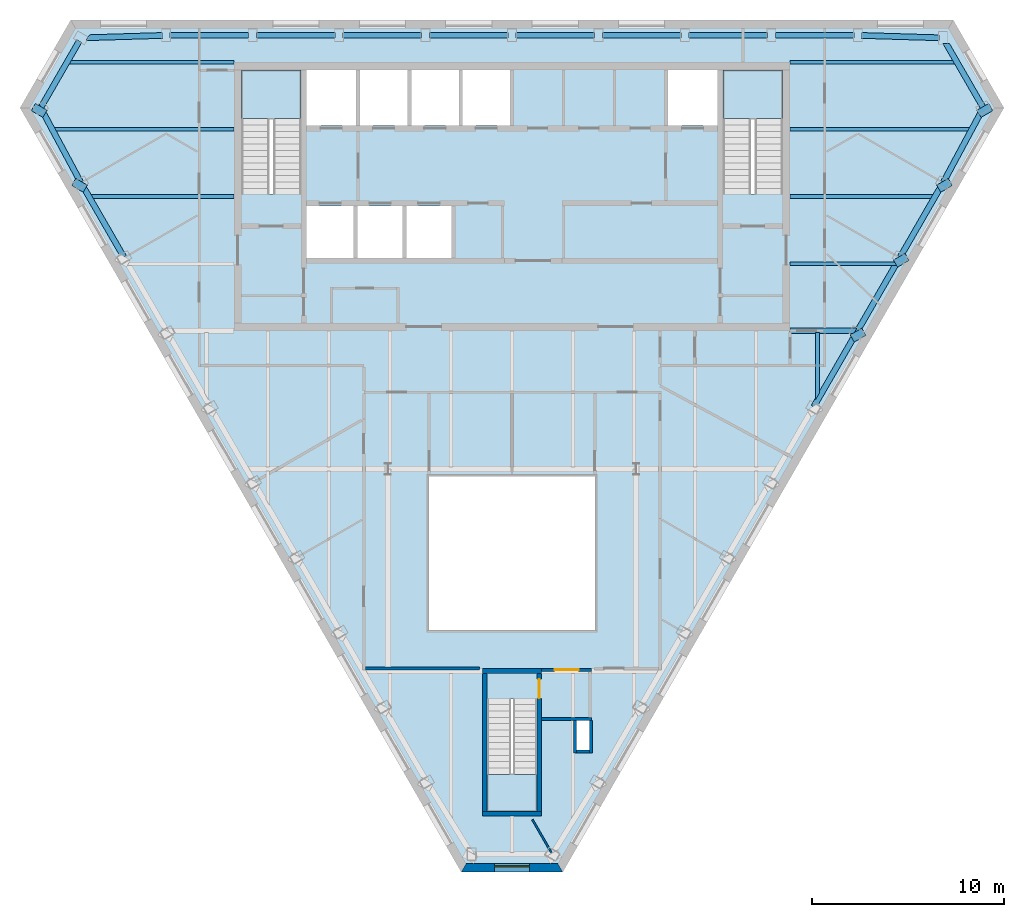
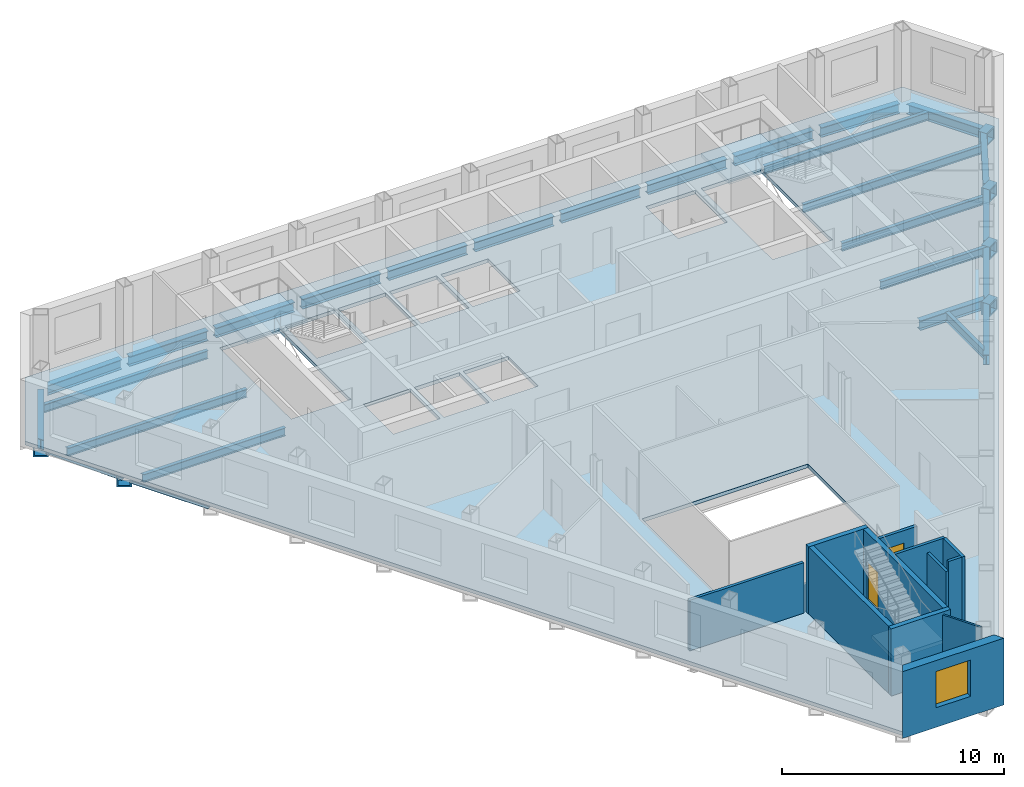
# One storey, part 3 of 10: 33 beams, 12 walls, 4 slabs, 2 doors, 1 window, 3 openings, 3 elements without a shape of their own.
"""IFC4 building model written with IfcOpenShell, lengths in metres."""

from ifc_helpers import new_model, si_unit, direction, frame, frame_2d, origin, origin_2d, place, context, subcontext, project, spatial, polyline, rectangle, hollow_rectangle, i_section, outline, extrude, clip, halfspace, material, layer, layer_set, material_profile, profile_set, type_object, element, fill, aggregate, save


model = new_model("IFC4")

# Units and contexts
model_context = context("Model", 3, precision=1e-05, world=origin(), true_north=direction((0.0, 1.0)))
body_context = subcontext(model_context, "Body", "Model", "MODEL_VIEW")
ifc_project = project(units=[si_unit("LENGTHUNIT", "METRE"), si_unit("AREAUNIT", "SQUARE_METRE"), si_unit("VOLUMEUNIT", "CUBIC_METRE"), si_unit("PLANEANGLEUNIT", "RADIAN"), si_unit("MASSUNIT", "GRAM", prefix="KILO")], contexts=[model_context])

# Site, building, storey
site_placement = place(None, origin())
site = spatial("IfcSite", under=ifc_project, at=site_placement, CompositionType="ELEMENT")
building_placement = place(site_placement, origin())
building = spatial("IfcBuilding", under=site, at=building_placement, Name="Njiva Tower", CompositionType="ELEMENT")
storey_placement = place(building_placement, frame((0.0, 0.0, 280.5)))
storey = spatial("IfcBuildingStorey", under=building, at=storey_placement, Name="L64", CompositionType="ELEMENT", Elevation=280.5)

# Beams
ifc_material_1 = material(Name="Steel S355 J2", Category="steel")
ifc_material_profile_1 = material_profile(ifc_material_1, hollow_rectangle(XDim=0.7, YDim=0.7, WallThickness=0.08, at=origin_2d()), Name="BOX 700x700x80")
ifc_profile_set_1 = profile_set([ifc_material_profile_1], Name="Steel S355 J2")
beam_type_1 = type_object("IfcBeamType", Name="B19 Column jog beam BOX 700x700x80", PredefinedType="BEAM", material=ifc_profile_set_1)
beam_1_placement = place(storey_placement, frame((-24.753, 15.298, -0.55), z_axis=(0.499387282788, 0.866378867349, 0.0), x_axis=(-0.866378867349, 0.499387282788, 0.0)))
element("IfcBeam", 1, at=beam_1_placement, inside=storey, type_object=beam_type_1, Name="Column jog beam S21-B017", PredefinedType="BEAM", context=body_context, shape_type="SweptSolid", body=[
    extrude(hollow_rectangle(XDim=0.7, YDim=0.7, WallThickness=0.08, at=origin_2d()), origin(), (0.0, 0.0, 1.0), 0.4305),
])
beam_2_placement = place(storey_placement, frame((-22.652, 11.395, -0.55), z_axis=(0.500393920955, 0.865797853931, 0.0), x_axis=(-0.865797853931, 0.500393920955, 0.0)))
element("IfcBeam", 2, at=beam_2_placement, inside=storey, type_object=beam_type_1, Name="Column jog beam S21-B018", PredefinedType="BEAM", context=body_context, shape_type="SweptSolid", body=[
    extrude(hollow_rectangle(XDim=0.7, YDim=0.7, WallThickness=0.08, at=origin_2d()), origin(), (0.0, 0.0, 1.0), 0.4297),
])
beam_3_placement = place(storey_placement, frame((18.145, 3.587, -0.55), z_axis=(-0.499387282788, 0.866378867349, 0.0), x_axis=(-0.866378867349, -0.499387282788, 0.0)))
element("IfcBeam", 3, at=beam_3_placement, inside=storey, type_object=beam_type_1, Name="Column jog beam S21-B037", PredefinedType="BEAM", context=body_context, shape_type="SweptSolid", body=[
    extrude(hollow_rectangle(XDim=0.7, YDim=0.7, WallThickness=0.08, at=origin_2d()), origin(), (0.0, 0.0, 1.0), 0.4305),
])
for number, where, z_axis, x_axis, name in (
    (4, (20.399, 7.491, -0.55), (-0.500393920955, 0.865797853931, 0.0), (-0.865797853931, -0.500393920955, 0.0), "Column jog beam S21-B038"),
    (5, (22.652, 11.395, -0.55), (-0.500393920955, 0.865797853931, 0.0), (-0.865797853931, -0.500393920955, 0.0), "Column jog beam S21-B039"),
):
    element("IfcBeam", number, at=place(storey_placement, frame(where, z_axis=z_axis, x_axis=x_axis)), inside=storey, type_object=beam_type_1, Name=name, PredefinedType="BEAM", context=body_context, shape_type="SweptSolid", body=[
        extrude(hollow_rectangle(XDim=0.7, YDim=0.7, WallThickness=0.08, at=origin_2d()), origin(), (0.0, 0.0, 1.0), 0.4297),
    ])
beam_4_placement = place(storey_placement, frame((24.753, 15.298, -0.55), z_axis=(-0.499387282788, 0.866378867349, 0.0), x_axis=(-0.866378867349, -0.499387282788, 0.0)))
element("IfcBeam", 6, at=beam_4_placement, inside=storey, type_object=beam_type_1, Name="Column jog beam S21-B040", PredefinedType="BEAM", context=body_context, shape_type="SweptSolid", body=[
    extrude(hollow_rectangle(XDim=0.7, YDim=0.7, WallThickness=0.08, at=origin_2d()), origin(), (0.0, 0.0, 1.0), 0.4305),
])
ifc_material_profile_2 = material_profile(ifc_material_1, i_section(OverallWidth=0.19, OverallDepth=0.45, WebThickness=0.0094, FlangeThickness=0.0146, at=origin_2d()), Name="IPE 450")
ifc_profile_set_2 = profile_set([ifc_material_profile_2], Name="Steel S355 J2")
beam_type_2 = type_object("IfcBeamType", Name="B37 Floor beam to the core IPE 450", PredefinedType="BEAM", material=ifc_profile_set_2)
beam_5_placement = place(storey_placement, frame((14.5, 7.5, -0.425), z_axis=(1.0, 0.0, 0.0), x_axis=(0.0, 1.0, 0.0)))
element("IfcBeam", 7, at=beam_5_placement, inside=storey, type_object=beam_type_2, Name="Floor beam to the core S21-B007", PredefinedType="BEAM", context=body_context, shape_type="Clipping", body=[
    clip(extrude(i_section(OverallWidth=0.19, OverallDepth=0.45, WebThickness=0.0094, FlangeThickness=0.0146, at=origin_2d()), origin(), (0.0, 0.0, 1.0), 5.728), halfspace(frame((0.0433, 0.0, 5.4685), z_axis=(0.866026552831, 0.0, 0.499998009787), x_axis=(0.0, 1.0, 0.0)), False)),
])
beam_6_placement = place(storey_placement, frame((-22.014, 11.0, -0.425), z_axis=(1.0, 0.0, 0.0), x_axis=(0.0, 1.0, 0.0)))
element("IfcBeam", 8, at=beam_6_placement, inside=storey, type_object=beam_type_2, Name="Floor beam to the core S21-B003", PredefinedType="BEAM", context=body_context, shape_type="Clipping", body=[
    clip(extrude(i_section(OverallWidth=0.19, OverallDepth=0.45, WebThickness=0.0094, FlangeThickness=0.0146, at=origin_2d()), origin(), (0.0, 0.0, 1.0), 7.514), halfspace(frame((-0.025, 0.0, 0.0893), z_axis=(-0.499998009787, 0.0, -0.866026552831), x_axis=(0.0, -1.0, 0.0)), False)),
])
beam_7_placement = place(storey_placement, frame((14.5, 11.0, -0.425), z_axis=(1.0, 0.0, 0.0), x_axis=(0.0, 1.0, 0.0)))
element("IfcBeam", 9, at=beam_7_placement, inside=storey, type_object=beam_type_2, Name="Floor beam to the core S21-B008", PredefinedType="BEAM", context=body_context, shape_type="Clipping", body=[
    clip(extrude(i_section(OverallWidth=0.19, OverallDepth=0.45, WebThickness=0.0094, FlangeThickness=0.0146, at=origin_2d()), origin(), (0.0, 0.0, 1.0), 7.514), halfspace(frame((-0.025, 0.0, 7.4247), z_axis=(-0.499998009787, 0.0, 0.866026552831), x_axis=(0.0, 1.0, 0.0)), False)),
])
beam_8_placement = place(storey_placement, frame((-23.923, 14.5, -0.425), z_axis=(1.0, 0.0, 0.0), x_axis=(0.0, 1.0, 0.0)))
element("IfcBeam", 10, at=beam_8_placement, inside=storey, type_object=beam_type_2, Name="Floor beam to the core S21-B001", PredefinedType="BEAM", context=body_context, shape_type="Clipping", body=[
    clip(extrude(i_section(OverallWidth=0.19, OverallDepth=0.45, WebThickness=0.0094, FlangeThickness=0.0146, at=origin_2d()), origin(), (0.0, 0.0, 1.0), 9.423), halfspace(frame((-0.0237, 0.0, 0.0836), z_axis=(-0.473769423091, 0.0, -0.880648927634), x_axis=(0.0, -1.0, 0.0)), False)),
])
beam_9_placement = place(storey_placement, frame((14.5, 14.5, -0.425), z_axis=(1.0, 0.0, 0.0), x_axis=(0.0, 1.0, 0.0)))
element("IfcBeam", 11, at=beam_9_placement, inside=storey, type_object=beam_type_2, Name="Floor beam to the core S21-B009", PredefinedType="BEAM", context=body_context, shape_type="Clipping", body=[
    clip(extrude(i_section(OverallWidth=0.19, OverallDepth=0.45, WebThickness=0.0094, FlangeThickness=0.0146, at=origin_2d()), origin(), (0.0, 0.0, 1.0), 9.423), halfspace(frame((-0.0237, 0.0, 9.3394), z_axis=(-0.473769423091, 0.0, 0.880648927634), x_axis=(0.0, 1.0, 0.0)), False)),
])
beam_10_placement = place(storey_placement, frame((-23.152, 18.0, -0.425), z_axis=(1.0, 0.0, 0.0), x_axis=(0.0, 1.0, 0.0)))
element("IfcBeam", 12, at=beam_10_placement, inside=storey, type_object=beam_type_2, Name="Floor beam to the core S21-B002", PredefinedType="BEAM", context=body_context, shape_type="Clipping", body=[
    clip(extrude(i_section(OverallWidth=0.19, OverallDepth=0.45, WebThickness=0.0094, FlangeThickness=0.0146, at=origin_2d()), origin(), (0.0, 0.0, 1.0), 8.652), halfspace(frame((0.025, 0.0, 0.0892), z_axis=(0.499998009787, 0.0, -0.866026552831), x_axis=(0.0, -1.0, 0.0)), False)),
])
beam_11_placement = place(storey_placement, frame((14.5, 18.0, -0.425), z_axis=(1.0, 0.0, 0.0), x_axis=(0.0, 1.0, 0.0)))
element("IfcBeam", 13, at=beam_11_placement, inside=storey, type_object=beam_type_2, Name="Floor beam to the core S21-B010", PredefinedType="BEAM", context=body_context, shape_type="Clipping", body=[
    clip(extrude(i_section(OverallWidth=0.19, OverallDepth=0.45, WebThickness=0.0094, FlangeThickness=0.0146, at=origin_2d()), origin(), (0.0, 0.0, 1.0), 8.652), halfspace(frame((0.025, 0.0, 8.5628), z_axis=(0.499998009787, 0.0, 0.866026552831), x_axis=(0.0, 1.0, 0.0)), False)),
])
ifc_material_profile_3 = material_profile(ifc_material_1, i_section(OverallWidth=0.3, OverallDepth=0.54, WebThickness=0.0125, FlangeThickness=0.024, at=origin_2d()), Name="HEA 550")
ifc_profile_set_3 = profile_set([ifc_material_profile_3], Name="Steel S355 J2")
beam_type_3 = type_object("IfcBeamType", Name="B39 Short-span spandrel beam HEA 550", PredefinedType="SPANDREL", material=ifc_profile_set_3)
beam_12_placement = place(storey_placement, frame((22.257, 19.273, -0.47), z_axis=(-0.999547991975, 0.030063461852, 0.0), x_axis=(-0.030063461852, -0.999547991975, 0.0)))
element("IfcBeam", 14, at=beam_12_placement, inside=storey, type_object=beam_type_3, Name="Short-span spandrel beam S21-B116", PredefinedType="SPANDREL", context=body_context, shape_type="SweptSolid", body=[
    extrude(i_section(OverallWidth=0.3, OverallDepth=0.54, WebThickness=0.0125, FlangeThickness=0.024, at=origin_2d()), origin(), (0.0, 0.0, 1.0), 4.0248),
])
beam_13_placement = place(storey_placement, frame((17.83, 19.4, -0.47), z_axis=(-1.0, 0.0, 0.0), x_axis=(0.0, -1.0, 0.0)))
element("IfcBeam", 15, at=beam_13_placement, inside=storey, type_object=beam_type_3, Name="Short-span spandrel beam S21-B111", PredefinedType="SPANDREL", context=body_context, shape_type="SweptSolid", body=[
    extrude(i_section(OverallWidth=0.3, OverallDepth=0.54, WebThickness=0.0125, FlangeThickness=0.024, at=origin_2d()), origin(), (0.0, 0.0, 1.0), 4.107),
])
beam_14_placement = place(storey_placement, frame((13.323, 19.4, -0.47), z_axis=(-1.0, 0.0, 0.0), x_axis=(0.0, -1.0, 0.0)))
element("IfcBeam", 16, at=beam_14_placement, inside=storey, type_object=beam_type_3, Name="Short-span spandrel beam S21-B106", PredefinedType="SPANDREL", context=body_context, shape_type="SweptSolid", body=[
    extrude(i_section(OverallWidth=0.3, OverallDepth=0.54, WebThickness=0.0125, FlangeThickness=0.024, at=origin_2d()), origin(), (0.0, 0.0, 1.0), 4.108),
])
beam_15_placement = place(storey_placement, frame((8.815, 19.4, -0.47), z_axis=(-1.0, 0.0, 0.0), x_axis=(0.0, -1.0, 0.0)))
element("IfcBeam", 17, at=beam_15_placement, inside=storey, type_object=beam_type_3, Name="Short-span spandrel beam S21-B101", PredefinedType="SPANDREL", context=body_context, shape_type="SweptSolid", body=[
    extrude(i_section(OverallWidth=0.3, OverallDepth=0.54, WebThickness=0.0125, FlangeThickness=0.024, at=origin_2d()), origin(), (0.0, 0.0, 1.0), 4.107),
])
for number, where, z_axis, x_axis, name in (
    (18, (4.308, 19.4, -0.47), (-1.0, 0.0, 0.0), (0.0, -1.0, 0.0), "Short-span spandrel beam S21-B096"),
    (19, (-0.2, 19.4, -0.47), (-1.0, 0.0, 0.0), (0.0, -1.0, 0.0), "Short-span spandrel beam S21-B092"),
):
    element("IfcBeam", number, at=place(storey_placement, frame(where, z_axis=z_axis, x_axis=x_axis)), inside=storey, type_object=beam_type_3, Name=name, PredefinedType="SPANDREL", context=body_context, shape_type="SweptSolid", body=[
        extrude(i_section(OverallWidth=0.3, OverallDepth=0.54, WebThickness=0.0125, FlangeThickness=0.024, at=origin_2d()), origin(), (0.0, 0.0, 1.0), 4.108),
    ])
beam_16_placement = place(storey_placement, frame((-4.708, 19.4, -0.47), z_axis=(-1.0, 0.0, 0.0), x_axis=(0.0, -1.0, 0.0)))
element("IfcBeam", 20, at=beam_16_placement, inside=storey, type_object=beam_type_3, Name="Short-span spandrel beam S21-B087", PredefinedType="SPANDREL", context=body_context, shape_type="SweptSolid", body=[
    extrude(i_section(OverallWidth=0.3, OverallDepth=0.54, WebThickness=0.0125, FlangeThickness=0.024, at=origin_2d()), origin(), (0.0, 0.0, 1.0), 4.107),
])
beam_17_placement = place(storey_placement, frame((-9.215, 19.4, -0.47), z_axis=(-1.0, 0.0, 0.0), x_axis=(0.0, -1.0, 0.0)))
element("IfcBeam", 21, at=beam_17_placement, inside=storey, type_object=beam_type_3, Name="Short-span spandrel beam S21-B082", PredefinedType="SPANDREL", context=body_context, shape_type="SweptSolid", body=[
    extrude(i_section(OverallWidth=0.3, OverallDepth=0.54, WebThickness=0.0125, FlangeThickness=0.024, at=origin_2d()), origin(), (0.0, 0.0, 1.0), 4.108),
])
beam_18_placement = place(storey_placement, frame((-13.723, 19.4, -0.47), z_axis=(-1.0, 0.0, 0.0), x_axis=(0.0, -1.0, 0.0)))
element("IfcBeam", 22, at=beam_18_placement, inside=storey, type_object=beam_type_3, Name="Short-span spandrel beam S21-B077", PredefinedType="SPANDREL", context=body_context, shape_type="SweptSolid", body=[
    extrude(i_section(OverallWidth=0.3, OverallDepth=0.54, WebThickness=0.0125, FlangeThickness=0.024, at=origin_2d()), origin(), (0.0, 0.0, 1.0), 4.107),
])
beam_19_placement = place(storey_placement, frame((-18.234, 19.394, -0.47), z_axis=(-0.999544486246, -0.030179794811, 0.0), x_axis=(0.030179794811, -0.999544486246, 0.0)))
element("IfcBeam", 23, at=beam_19_placement, inside=storey, type_object=beam_type_3, Name="Short-span spandrel beam S21-B073", PredefinedType="SPANDREL", context=body_context, shape_type="Clipping", body=[
    clip(extrude(i_section(OverallWidth=0.3, OverallDepth=0.54, WebThickness=0.0125, FlangeThickness=0.024, at=origin_2d()), origin(), (0.0, 0.0, 1.0), 3.9898), halfspace(frame((-0.0268, 0.0, 3.86), z_axis=(-0.525906757481, 0.0, 0.850542228484), x_axis=(0.0, 1.0, 0.0)), False)),
])
beam_20_placement = place(storey_placement, frame((-22.561, 19.094, -0.47), z_axis=(-0.500114213461, -0.865959452569, 0.0), x_axis=(0.865959452569, -0.500114213461, 0.0)))
element("IfcBeam", 24, at=beam_20_placement, inside=storey, type_object=beam_type_3, Name="Short-span spandrel beam S21-B067", PredefinedType="SPANDREL", context=body_context, shape_type="Clipping", body=[
    clip(extrude(i_section(OverallWidth=0.3, OverallDepth=0.54, WebThickness=0.0125, FlangeThickness=0.024, at=origin_2d()), origin(), (0.0, 0.0, 1.0), 4.0841), halfspace(frame((-0.0246, 0.0, 3.9628), z_axis=(-0.499887768204, 0.0, 0.866090191147), x_axis=(0.0, 1.0, 0.0)), False)),
])
beam_21_placement = place(storey_placement, frame((-24.397, 15.303, -0.47), z_axis=(0.473537030371, -0.880773910188, 0.0), x_axis=(0.880773910188, 0.473537030371, 0.0)))
element("IfcBeam", 25, at=beam_21_placement, inside=storey, type_object=beam_type_3, Name="Short-span spandrel beam S21-B069", PredefinedType="SPANDREL", context=body_context, shape_type="SweptSolid", body=[
    extrude(i_section(OverallWidth=0.3, OverallDepth=0.54, WebThickness=0.0125, FlangeThickness=0.024, at=origin_2d()), origin(), (0.0, 0.0, 1.0), 4.0271),
])
for number, where, z_axis, x_axis, name in (
    (26, (-22.29, 11.408, -0.47), (0.500066662559, -0.865986912717, 0.0), (0.865986912717, 0.500066662559, 0.0), "Short-span spandrel beam S21-B072"),
    (27, (15.728, 0.043, -0.47), (0.500066662559, 0.865986912717, 0.0), (-0.865986912717, 0.500066662559, 0.0), "Short-span spandrel beam S21-B112"),
    (28, (17.982, 3.947, -0.47), (0.500066662559, 0.865986912717, 0.0), (-0.865986912717, 0.500066662559, 0.0), "Short-span spandrel beam S21-B114"),
    (29, (20.236, 7.851, -0.47), (0.500066662559, 0.865986912717, 0.0), (-0.865986912717, 0.500066662559, 0.0), "Short-span spandrel beam S21-B117"),
):
    element("IfcBeam", number, at=place(storey_placement, frame(where, z_axis=z_axis, x_axis=x_axis)), inside=storey, type_object=beam_type_3, Name=name, PredefinedType="SPANDREL", context=body_context, shape_type="SweptSolid", body=[
        extrude(i_section(OverallWidth=0.3, OverallDepth=0.54, WebThickness=0.0125, FlangeThickness=0.024, at=origin_2d()), origin(), (0.0, 0.0, 1.0), 4.1075),
    ])
beam_22_placement = place(storey_placement, frame((22.49, 11.756, -0.47), z_axis=(0.473732720651, 0.88066867174, 0.0), x_axis=(-0.88066867174, 0.473732720651, 0.0)))
element("IfcBeam", 30, at=beam_22_placement, inside=storey, type_object=beam_type_3, Name="Short-span spandrel beam S21-B119", PredefinedType="SPANDREL", context=body_context, shape_type="SweptSolid", body=[
    extrude(i_section(OverallWidth=0.3, OverallDepth=0.54, WebThickness=0.0125, FlangeThickness=0.024, at=origin_2d()), origin(), (0.0, 0.0, 1.0), 4.3864),
])
beam_23_placement = place(storey_placement, frame((24.568, 15.619, -0.47), z_axis=(-0.500200034103, 0.865909883235, 0.0), x_axis=(-0.865909883235, -0.500200034103, 0.0)))
element("IfcBeam", 31, at=beam_23_placement, inside=storey, type_object=beam_type_3, Name="Short-span spandrel beam S21-B122", PredefinedType="SPANDREL", context=body_context, shape_type="Clipping", body=[
    clip(extrude(i_section(OverallWidth=0.3, OverallDepth=0.54, WebThickness=0.0125, FlangeThickness=0.024, at=origin_2d()), origin(), (0.0, 0.0, 1.0), 3.9735), halfspace(frame((-0.0254, 0.0, 3.8518), z_axis=(-0.500200034103, 0.0, 0.865909883235), x_axis=(0.0, 1.0, 0.0)), False)),
])
ifc_material_profile_4 = material_profile(ifc_material_1, i_section(OverallWidth=0.3, OverallDepth=0.54, WebThickness=0.0125, FlangeThickness=0.024, at=origin_2d()), Name="HEA 550")
ifc_profile_set_4 = profile_set([ifc_material_profile_4], Name="Steel S355 J2")
beam_type_4 = type_object("IfcBeamType", Name="B41 Short-span floor girder HEA 550", PredefinedType="BEAM", material=ifc_profile_set_4)
beam_24_placement = place(storey_placement, frame((14.5, 4.0, -0.47), z_axis=(1.0, 0.0, 0.0), x_axis=(0.0, 1.0, 0.0)))
element("IfcBeam", 32, at=beam_24_placement, inside=storey, type_object=beam_type_4, Name="Short-span floor girder S21-B016", PredefinedType="BEAM", context=body_context, shape_type="Clipping", body=[
    clip(extrude(i_section(OverallWidth=0.3, OverallDepth=0.54, WebThickness=0.0125, FlangeThickness=0.024, at=origin_2d()), origin(), (0.0, 0.0, 1.0), 3.505), halfspace(frame((-0.025, 0.0, 3.3833), z_axis=(-0.499998009787, 0.0, 0.866026552831), x_axis=(0.0, 1.0, 0.0)), False)),
])
ifc_material_profile_5 = material_profile(ifc_material_1, i_section(OverallWidth=0.2, OverallDepth=0.5, WebThickness=0.0102, FlangeThickness=0.016, at=origin_2d()), Name="IPE 500")
ifc_profile_set_5 = profile_set([ifc_material_profile_5], Name="Steel S355 J2")
beam_type_5 = type_object("IfcBeamType", Name="B42 Short-span floor joist IPE 500", PredefinedType="JOIST", material=ifc_profile_set_5)
beam_25_placement = place(storey_placement, frame((15.917, 3.9, -0.45), z_axis=(0.0, -1.0, 0.0), x_axis=(1.0, 0.0, 0.0)))
element("IfcBeam", 33, at=beam_25_placement, inside=storey, type_object=beam_type_5, Name="Short-span floor joist S21-B060", PredefinedType="JOIST", context=body_context, shape_type="Clipping", body=[
    clip(extrude(i_section(OverallWidth=0.2, OverallDepth=0.5, WebThickness=0.0102, FlangeThickness=0.016, at=origin_2d()), origin(), (0.0, 0.0, 1.0), 3.524), halfspace(frame((0.043, 0.0, 3.2562), z_axis=(0.866026552831, 0.0, 0.499998009787), x_axis=(0.0, 1.0, 0.0)), False)),
])

# Stair, slab
ifc_material_2 = material(Name="Concrete C40/50", Category="concrete")
stair_type_1 = type_object("IfcStairType", Name="ST3 Exit stair 1450", PredefinedType="HALF_TURN_STAIR", material=ifc_material_2)
stair_1_placement = place(storey_placement, origin())
stair_1 = element("IfcStair", 34, at=stair_1_placement, inside=storey, type_object=stair_type_1, Name="Stair A", PredefinedType="HALF_TURN_STAIR")
ifc_layer_1 = layer(ifc_material_2, 0.2)
ifc_layer_set_1 = layer_set([ifc_layer_1], Name="Concrete C40/50")
slab_type_1 = type_object("IfcSlabType", Name="FL9 Stair landing 200", PredefinedType="LANDING", material=ifc_layer_set_1)
slab_1_placement = place(storey_placement, frame((0.0, 0.0, 1.75)))
slab_1 = element("IfcSlab", 35, at=slab_1_placement, type_object=slab_type_1, Name="ST-A landing 1", PredefinedType="LANDING", context=body_context, shape_type="SweptSolid", body=[
    extrude(outline(polyline([(-14.106, 15.06), (-10.994, 15.06), (-10.994, 17.6), (-14.106, 17.6), (-14.106, 15.06)])), origin(), (0.0, 0.0, 1.0), 0.2),
])
aggregate(stair_1, [slab_1])

stair_2_placement = place(storey_placement, origin())
stair_2 = element("IfcStair", 36, at=stair_2_placement, inside=storey, type_object=stair_type_1, Name="Stair B", PredefinedType="HALF_TURN_STAIR")
slab_2_placement = place(storey_placement, frame((0.0, 0.0, 1.75)))
slab_2 = element("IfcSlab", 37, at=slab_2_placement, type_object=slab_type_1, Name="ST-B landing 1", PredefinedType="LANDING", context=body_context, shape_type="SweptSolid", body=[
    extrude(outline(polyline([(10.994, 15.06), (14.106, 15.06), (14.106, 17.6), (10.994, 17.6), (10.994, 15.06)])), origin(), (0.0, 0.0, 1.0), 0.2),
])
aggregate(stair_2, [slab_2])

stair_type_2 = type_object("IfcStairType", Name="ST1 Exit stair 1250", PredefinedType="HALF_TURN_STAIR", material=ifc_material_2)
stair_3_placement = place(storey_placement, origin())
stair_3 = element("IfcStair", 38, at=stair_3_placement, inside=storey, type_object=stair_type_2, Name="Stair C", PredefinedType="HALF_TURN_STAIR")
slab_3_placement = place(storey_placement, frame((0.0, 0.0, 1.75)))
slab_3 = element("IfcSlab", 39, at=slab_3_placement, type_object=slab_type_1, Name="ST-C landing 1", PredefinedType="LANDING", context=body_context, shape_type="SweptSolid", body=[
    extrude(outline(polyline([(-1.306, -21.05), (1.306, -21.05), (1.306, -19.12), (-1.306, -19.12), (-1.306, -21.05)])), origin(), (0.0, 0.0, 1.0), 0.2),
])
aggregate(stair_3, [slab_3])

# Slab
ifc_material_3 = material(Name="Concrete C30/37", Category="concrete")
ifc_layer_2 = layer(ifc_material_3, 0.2)
ifc_layer_set_2 = layer_set([ifc_layer_2], Name="Concrete C30/37")
slab_type_2 = type_object("IfcSlabType", Name="SL16 Composite floor slab 200", PredefinedType="FLOOR", material=ifc_layer_set_2)
slab_4_placement = place(storey_placement, frame((0.0, 0.0, -0.2)))
element("IfcSlab", 40, at=slab_4_placement, inside=storey, type_object=slab_type_2, Name="Floor slab L64", PredefinedType="FLOOR", context=body_context, shape_type="SweptSolid", body=[
    extrude(outline(polyline([(25.3852, 15.6187), (2.5151, -23.9934), (-2.5151, -23.9934), (-25.3852, 15.6187), (-22.8701, 19.975), (22.8701, 19.975), (25.3852, 15.6187)]), holes=[polyline([(10.994, 11.13), (14.106, 11.13), (14.106, 17.6), (10.994, 17.6), (10.994, 11.13)]), polyline([(8.125, 14.7), (10.7, 14.7), (10.7, 17.6), (8.125, 17.6), (8.125, 14.7)]), polyline([(4.32, -11.6), (4.32, -3.6), (-4.32, -3.6), (-4.32, -11.6), (4.32, -11.6)]), polyline([(3.35, -17.85), (4.05, -17.85), (4.05, -16.3), (3.35, -16.3), (3.35, -17.85)]), polyline([(-1.306, -21.05), (1.306, -21.05), (1.306, -15.19), (-1.306, -15.19), (-1.306, -21.05)]), polyline([(-2.575, 14.7), (-0.1, 14.7), (-0.1, 17.6), (-2.575, 17.6), (-2.575, 14.7)]), polyline([(-2.775, 14.7), (-2.775, 17.6), (-5.25, 17.6), (-5.25, 14.7), (-2.775, 14.7)]), polyline([(-5.5, 7.8), (-3.15, 7.8), (-3.15, 10.5), (-5.5, 10.5), (-5.5, 7.8)]), polyline([(-7.925, 14.7), (-5.45, 14.7), (-5.45, 17.6), (-7.925, 17.6), (-7.925, 14.7)]), polyline([(-8.05, 7.8), (-5.7, 7.8), (-5.7, 10.5), (-8.05, 10.5), (-8.05, 7.8)]), polyline([(-10.7, 14.7), (-8.125, 14.7), (-8.125, 17.6), (-10.7, 17.6), (-10.7, 14.7)]), polyline([(-8.25, 7.8), (-8.25, 10.5), (-10.7, 10.5), (-10.7, 7.8), (-8.25, 7.8)]), polyline([(-10.994, 11.13), (-10.994, 17.6), (-14.106, 17.6), (-14.106, 11.13), (-10.994, 11.13)])]), origin(), (0.0, 0.0, 1.0), 0.2),
])

# Walls
ifc_material_4 = material(Name="Gypsum board on steel studs", Category="gypsum")
ifc_layer_3 = layer(ifc_material_4, 0.1)
ifc_layer_set_3 = layer_set([ifc_layer_3], Name="Gypsum board on steel studs")
wall_type_1 = type_object("IfcWallType", Name="WT20 Gypsum partition 100", PredefinedType="PARTITIONING", material=ifc_layer_set_3)
wall_1_placement = place(storey_placement, frame((1.061, -21.475, 0.0), z_axis=(0.0, 0.0, 1.0), x_axis=(0.499867417214, -0.866101936961, 0.0)))
element("IfcWall", 41, at=wall_1_placement, inside=storey, type_object=wall_type_1, Name="Partition S21-P017", PredefinedType="PARTITIONING", context=body_context, shape_type="SweptSolid", body=[
    extrude(rectangle(XDim=1.9905, YDim=0.1, at=frame_2d((0.9952, 0.0))), origin(), (0.0, 0.0, 1.0), 3.7),
])
ifc_layer_4 = layer(ifc_material_4, 0.15)
ifc_layer_set_4 = layer_set([ifc_layer_4], Name="Gypsum board on steel studs")
wall_type_2 = type_object("IfcWallType", Name="WT21 Compartment wall 150", PredefinedType="PARTITIONING", material=ifc_layer_set_4)
wall_2_placement = place(storey_placement, frame((-7.645, -13.6, 0.0), z_axis=(0.0, 0.0, 1.0), x_axis=(1.0, 0.0, 0.0)))
element("IfcWall", 42, at=wall_2_placement, inside=storey, type_object=wall_type_2, Name="Partition S21-P014", PredefinedType="PARTITIONING", context=body_context, shape_type="SweptSolid", body=[
    extrude(rectangle(XDim=5.945, YDim=0.15, at=frame_2d((2.9725, 0.0))), origin(), (0.0, 0.0, 1.0), 2.79),
])
ifc_material_5 = material(Name="Blockwork", Category="masonry")
ifc_layer_5 = layer(ifc_material_5, 0.15)
ifc_layer_set_5 = layer_set([ifc_layer_5], Name="Blockwork")
wall_type_3 = type_object("IfcWallType", Name="WT4 Stair partition 150", PredefinedType="PARTITIONING", material=ifc_layer_set_5)
wall_3_placement = place(storey_placement, frame((1.55, -16.225, 0.0), z_axis=(0.0, 0.0, 1.0), x_axis=(1.0, 0.0, 0.0)))
element("IfcWall", 43, at=wall_3_placement, inside=storey, type_object=wall_type_3, Name="Stair C vestibule wall south", PredefinedType="PARTITIONING", context=body_context, shape_type="SweptSolid", body=[
    extrude(rectangle(XDim=2.6, YDim=0.15, at=frame_2d((1.3, 0.0))), origin(), (0.0, 0.0, 1.0), 3.7),
])

# Wall, opening, door
wall_4_placement = place(storey_placement, frame((1.55, -13.675, 0.0), z_axis=(0.0, 0.0, 1.0), x_axis=(1.0, 0.0, 0.0)))
wall_4 = element("IfcWall", 44, at=wall_4_placement, inside=storey, type_object=wall_type_3, Name="Stair C vestibule wall north", PredefinedType="PARTITIONING", context=body_context, shape_type="SweptSolid", body=[
    extrude(rectangle(XDim=2.6, YDim=0.15, at=frame_2d((1.3, 0.0))), origin(), (0.0, 0.0, 1.0), 2.79),
])
opening_1_placement = place(wall_4_placement, frame((0.675, 0.0, 0.0)))
opening_1 = element("IfcOpeningElement", 45, at=opening_1_placement, cuts=wall_4, Name="Opening S21-D929", PredefinedType="OPENING", context=body_context, shape_type="SweptSolid", body=[
    extrude(rectangle(XDim=1.25, YDim=2.1, at=frame_2d((0.625, 1.05))), frame((0.0, 0.085, 0.0), z_axis=(0.0, -1.0, 0.0), x_axis=(1.0, 0.0, 0.0)), (0.0, 0.0, 1.0), 0.17),
])
ifc_material_6 = material(Name="Glazed steel fire door", Category="steel")
door_type_1 = type_object("IfcDoorType", Name="D8 Vestibule corridor door 1250x2100 glazed", OperationType="SINGLE_SWING_LEFT", PredefinedType="DOOR", material=ifc_material_6)
door_1_placement = place(opening_1_placement, origin())
door_1 = element("IfcDoor", 46, at=door_1_placement, inside=storey, type_object=door_type_1, Name="Stair vestibule corridor door", OperationType="SINGLE_SWING_RIGHT", OverallHeight=2.1, OverallWidth=1.25, PredefinedType="DOOR", context=body_context, shape_type="SweptSolid", body=[
    extrude(rectangle(XDim=1.25, YDim=2.1, at=frame_2d((0.625, 1.05))), frame((0.0, 0.025, 0.0), z_axis=(0.0, -1.0, 0.0), x_axis=(1.0, 0.0, 0.0)), (0.0, 0.0, 1.0), 0.05),
])
fill(opening_1, door_1)

# Walls
wall_5_placement = place(storey_placement, frame((3.275, -18.0, 0.0), z_axis=(0.0, 0.0, 1.0), x_axis=(0.0, 1.0, 0.0)))
element("IfcWall", 47, at=wall_5_placement, inside=storey, type_object=wall_type_3, Name="Stair C pressurisation shaft wall", PredefinedType="PARTITIONING", context=body_context, shape_type="SweptSolid", body=[
    extrude(rectangle(XDim=1.7, YDim=0.15, at=frame_2d((0.85, 0.0))), origin(), (0.0, 0.0, 1.0), 3.2),
])
wall_6_placement = place(storey_placement, frame((3.35, -17.925, 0.0), z_axis=(0.0, 0.0, 1.0), x_axis=(1.0, 0.0, 0.0)))
element("IfcWall", 48, at=wall_6_placement, inside=storey, type_object=wall_type_3, Name="Stair C pressurisation shaft wall", PredefinedType="PARTITIONING", context=body_context, shape_type="SweptSolid", body=[
    extrude(rectangle(XDim=0.7, YDim=0.15, at=frame_2d((0.35, 0.0))), origin(), (0.0, 0.0, 1.0), 3.7),
])
wall_7_placement = place(storey_placement, frame((4.125, -18.0, 0.0), z_axis=(0.0, 0.0, 1.0), x_axis=(0.0, 1.0, 0.0)))
element("IfcWall", 49, at=wall_7_placement, inside=storey, type_object=wall_type_3, Name="Stair C pressurisation shaft wall", PredefinedType="PARTITIONING", context=body_context, shape_type="SweptSolid", body=[
    extrude(rectangle(XDim=1.7, YDim=0.15, at=frame_2d((0.85, 0.0))), origin(), (0.0, 0.0, 1.0), 3.7),
])
ifc_layer_6 = layer(ifc_material_2, 0.25)
ifc_layer_set_6 = layer_set([ifc_layer_6], Name="Concrete C40/50")
wall_type_4 = type_object("IfcWallType", Name="WT9 Stair enclosure wall 250", PredefinedType="SHEAR", material=ifc_layer_set_6)
wall_8_placement = place(storey_placement, frame((-1.425, -21.05, 0.0), z_axis=(0.0, 0.0, 1.0), x_axis=(0.0, 1.0, 0.0)))
element("IfcWall", 50, at=wall_8_placement, inside=storey, type_object=wall_type_4, Name="Stair C wall west", PredefinedType="SHEAR", context=body_context, shape_type="SweptSolid", body=[
    extrude(rectangle(XDim=7.2, YDim=0.25, at=frame_2d((3.6, 0.0))), origin(), (0.0, 0.0, 1.0), 3.7),
])

# Wall, opening, door
wall_9_placement = place(storey_placement, frame((1.425, -21.05, 0.0), z_axis=(0.0, 0.0, 1.0), x_axis=(0.0, 1.0, 0.0)))
wall_9 = element("IfcWall", 51, at=wall_9_placement, inside=storey, type_object=wall_type_4, Name="Stair C wall east", PredefinedType="SHEAR", context=body_context, shape_type="SweptSolid", body=[
    extrude(rectangle(XDim=7.2, YDim=0.25, at=frame_2d((3.6, 0.0))), origin(), (0.0, 0.0, 1.0), 3.7),
])
opening_2_placement = place(wall_9_placement, frame((5.89, 0.0, 0.0)))
opening_2 = element("IfcOpeningElement", 52, at=opening_2_placement, cuts=wall_9, Name="Opening S21-D928", PredefinedType="OPENING", context=body_context, shape_type="SweptSolid", body=[
    extrude(rectangle(XDim=1.0, YDim=2.1, at=frame_2d((0.5, 1.05))), frame((0.0, 0.135, 0.0), z_axis=(0.0, -1.0, 0.0), x_axis=(1.0, 0.0, 0.0)), (0.0, 0.0, 1.0), 0.27),
])
door_type_2 = type_object("IfcDoorType", Name="D9 Stair vestibule door 1000x2100 glazed", OperationType="SINGLE_SWING_LEFT", PredefinedType="DOOR", material=ifc_material_6)
door_2_placement = place(opening_2_placement, origin())
door_2 = element("IfcDoor", 53, at=door_2_placement, inside=storey, type_object=door_type_2, Name="Stair C door", OperationType="SINGLE_SWING_LEFT", OverallHeight=2.1, OverallWidth=1.0, PredefinedType="DOOR", context=body_context, shape_type="SweptSolid", body=[
    extrude(rectangle(XDim=1.0, YDim=2.1, at=frame_2d((0.5, 1.05))), frame((0.0, 0.025, 0.0), z_axis=(0.0, -1.0, 0.0), x_axis=(1.0, 0.0, 0.0)), (0.0, 0.0, 1.0), 0.05),
])
fill(opening_2, door_2)

# Walls
for number, where, z_axis, x_axis, name in (
    (54, (-1.55, -21.175, 0.0), (0.0, 0.0, 1.0), (1.0, 0.0, 0.0), "Stair C wall south"),
    (55, (-1.55, -13.725, 0.0), (0.0, 0.0, 1.0), (1.0, 0.0, 0.0), "Stair C wall north"),
):
    element("IfcWall", number, at=place(storey_placement, frame(where, z_axis=z_axis, x_axis=x_axis)), inside=storey, type_object=wall_type_4, Name=name, PredefinedType="SHEAR", context=body_context, shape_type="SweptSolid", body=[
        extrude(rectangle(XDim=3.1, YDim=0.25, at=frame_2d((1.55, 0.0))), origin(), (0.0, 0.0, 1.0), 3.7),
    ])

# Wall, opening, window
ifc_material_7 = material(Name="Brick masonry, buff", Category="masonry")
ifc_layer_7 = layer(ifc_material_7, 0.45)
ifc_layer_set_7 = layer_set([ifc_layer_7], Name="Brick masonry, buff")
wall_type_5 = type_object("IfcWallType", Name="WT94 Brick pier and spandrel wall 450, buff", PredefinedType="SOLIDWALL", material=ifc_layer_set_7)
wall_10_placement = place(storey_placement, frame((-2.5151, -23.9934, -0.18), z_axis=(0.0, 0.0, 1.0), x_axis=(1.0, 0.0, 0.0)))
wall_10 = element("IfcWall", 56, at=wall_10_placement, inside=storey, type_object=wall_type_5, Name="Facade wall S", PredefinedType="SOLIDWALL", context=body_context, shape_type="SweptSolid", body=[
    extrude(outline(polyline([(-0.1299, -0.225), (5.1601, -0.225), (4.9003, 0.225), (0.1299, 0.225), (-0.1299, -0.225)])), origin(), (0.0, 0.0, 1.0), 3.68),
])
opening_3_placement = place(wall_10_placement, frame((1.6151, 0.0, 1.08)))
opening_3 = element("IfcOpeningElement", 57, at=opening_3_placement, cuts=wall_10, Name="Opening S21-W19", PredefinedType="OPENING", context=body_context, shape_type="SweptSolid", body=[
    extrude(rectangle(XDim=1.8, YDim=2.0, at=frame_2d((0.9, 1.0))), frame((0.0, 0.235, 0.0), z_axis=(0.0, -1.0, 0.0), x_axis=(1.0, 0.0, 0.0)), (0.0, 0.0, 1.0), 0.47),
])
ifc_material_8 = material(Name="Clear glazing in aluminium frame", Category="aluminium")
window_type = type_object("IfcWindowType", Name="W94 Deep-set window 1800x2000", PartitioningType="SINGLE_PANEL", PredefinedType="WINDOW", material=ifc_material_8)
window_placement = place(opening_3_placement, origin())
window = element("IfcWindow", 58, at=window_placement, inside=storey, type_object=window_type, Name="Window", OverallHeight=2.0, OverallWidth=1.8, PartitioningType="SINGLE_PANEL", PredefinedType="WINDOW", context=body_context, shape_type="SweptSolid", body=[
    extrude(rectangle(XDim=1.8, YDim=2.0, at=frame_2d((0.9, 1.0))), frame((0.0, 0.105, 0.0), z_axis=(0.0, -1.0, 0.0), x_axis=(1.0, 0.0, 0.0)), (0.0, 0.0, 1.0), 0.06),
])
fill(opening_3, window)

save(model, "model.ifc")
